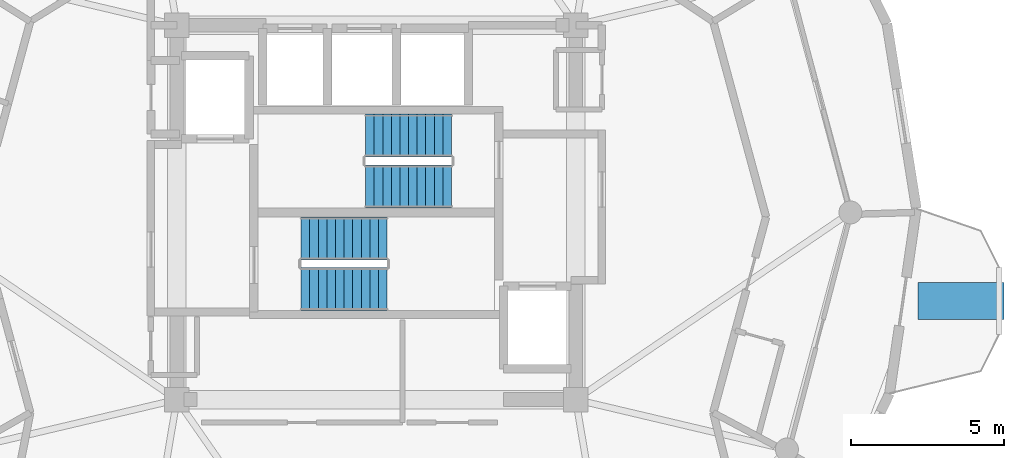
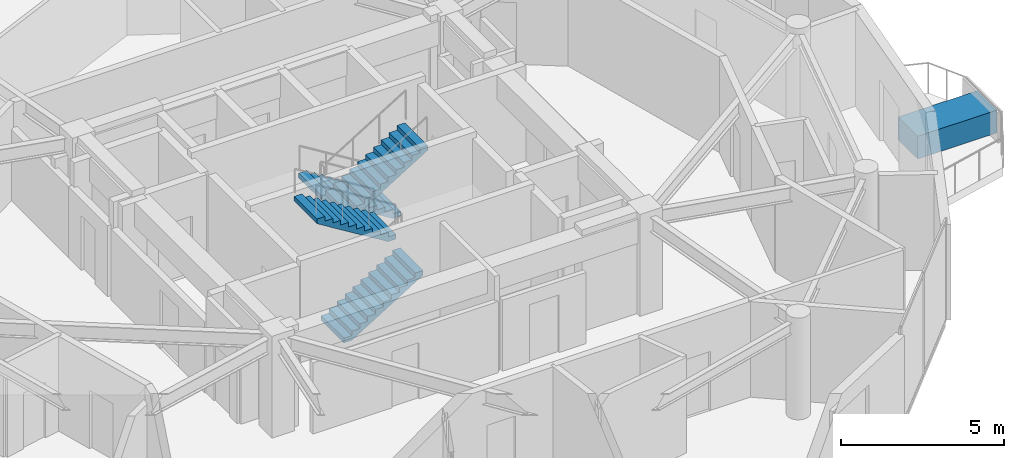
# One storey, part 20 of 22: 4 stair flights, 1 discrete accessory, 2 elements without a shape of their own.
"""IFC4 building model written with IfcOpenShell, lengths in metres."""

from ifc_helpers import new_model, si_unit, direction, frame, origin, origin_2d, place, context, subcontext, project, spatial, polyline, rectangle, outline, extrude, material, type_object, element, aggregate, save


model = new_model("IFC4")

# Units and contexts
model_context = context("Model", 3, precision=1e-05, world=origin(), true_north=direction((0.0, 1.0)))
body_context = subcontext(model_context, "Body", "Model", "MODEL_VIEW")
ifc_project = project(units=[si_unit("LENGTHUNIT", "METRE"), si_unit("AREAUNIT", "SQUARE_METRE"), si_unit("VOLUMEUNIT", "CUBIC_METRE"), si_unit("PLANEANGLEUNIT", "RADIAN"), si_unit("MASSUNIT", "GRAM", prefix="KILO")], contexts=[model_context])

# Site, building, storey
site_placement = place(None, origin())
site = spatial("IfcSite", under=ifc_project, at=site_placement, CompositionType="ELEMENT")
building_placement = place(site_placement, origin())
building = spatial("IfcBuilding", under=site, at=building_placement, Name="Solvirekh Grand Hotel", CompositionType="ELEMENT")
storey_placement = place(building_placement, frame((0.0, 0.0, 278.199951171875)))
storey = spatial("IfcBuildingStorey", under=building, at=storey_placement, Name="L72", CompositionType="ELEMENT", Elevation=278.199951171875)

# Stair, stair flights
ifc_material_1 = material(Name="Concrete C40/50", Category="concrete")
stair_type = type_object("IfcStairType", Name="Stair_Core_1450", PredefinedType="HALF_TURN_STAIR", material=ifc_material_1)
stair_1_placement = place(storey_placement, origin())
stair_1 = element("IfcStair", 1, at=stair_1_placement, inside=storey, type_object=stair_type, Name="L72 Enclosed exit stair ST-1", PredefinedType="HALF_TURN_STAIR")
stair_flight_type = type_object("IfcStairFlightType", Name="Flight_Core_1450", PredefinedType="STRAIGHT", material=ifc_material_1)
stair_flight_1_placement = place(storey_placement, frame((-2.449951171875, -2.5, 0.0), z_axis=(0.0, 0.0, 1.0), x_axis=(1.0, 0.0, 0.0)))
stair_flight_1 = element("IfcStairFlight", 2, at=stair_flight_1_placement, type_object=stair_flight_type, Name="ST-1 flight 1", NumberOfRisers=11, NumberOfTreads=10, PredefinedType="STRAIGHT", RiserHeight=0.172727273, TreadLength=0.28, context=body_context, shape_type="SweptSolid", body=[
    extrude(outline(polyline([(0.0, 0.0), (0.0, 0.172607421875), (0.280029296875, 0.172607421875), (0.280029296875, 0.345458984375), (0.56005859375, 0.345458984375), (0.56005859375, 0.51806640625), (0.840087890625, 0.51806640625), (0.840087890625, 0.69091796875), (1.1201171875, 0.69091796875), (1.1201171875, 0.863525390625), (1.39990234375, 0.863525390625), (1.39990234375, 1.036376953125), (1.679931640625, 1.036376953125), (1.679931640625, 1.208984375), (1.9599609375, 1.208984375), (1.9599609375, 1.3818359375), (2.239990234375, 1.3818359375), (2.239990234375, 1.554443359375), (2.52001953125, 1.554443359375), (2.52001953125, 1.727294921875), (2.800048828125, 1.727294921875), (2.800048828125, 1.89990234375), (2.800048828125, 1.551025390625), (0.285400390625, 0.0), (0.0, 0.0)])), frame((0.0, 0.699951171875, 0.0), z_axis=(0.0, -1.0, 0.0), x_axis=(1.0, 0.0, 0.0)), (0.0, 0.0, 1.0), 1.39990234375),
])
stair_flight_2_placement = place(storey_placement, frame((0.35009765625, -0.85009765625, 1.900146484375), z_axis=(0.0, 0.0, 1.0), x_axis=(-1.0, 0.0, 0.0)))
stair_flight_2 = element("IfcStairFlight", 3, at=stair_flight_2_placement, type_object=stair_flight_type, Name="ST-1 flight 2", NumberOfRisers=11, NumberOfTreads=10, PredefinedType="STRAIGHT", RiserHeight=0.172727273, TreadLength=0.28, context=body_context, shape_type="SweptSolid", body=[
    extrude(outline(polyline([(0.0, 0.0), (0.0, 0.172607421875), (0.280029296875, 0.172607421875), (0.280029296875, 0.345458984375), (0.56005859375, 0.345458984375), (0.56005859375, 0.51806640625), (0.840087890625, 0.51806640625), (0.840087890625, 0.69091796875), (1.1201171875, 0.69091796875), (1.1201171875, 0.863525390625), (1.39990234375, 0.863525390625), (1.39990234375, 1.036376953125), (1.679931640625, 1.036376953125), (1.679931640625, 1.208984375), (1.9599609375, 1.208984375), (1.9599609375, 1.3818359375), (2.239990234375, 1.3818359375), (2.239990234375, 1.554443359375), (2.52001953125, 1.554443359375), (2.52001953125, 1.727294921875), (2.800048828125, 1.727294921875), (2.800048828125, 1.89990234375), (2.800048828125, 1.551025390625), (0.285400390625, 0.0), (0.0, 0.0)])), frame((0.0, 0.699951171875, 0.0), z_axis=(0.0, -1.0, 0.0), x_axis=(1.0, 0.0, 0.0)), (0.0, 0.0, 1.0), 1.39990234375),
])
aggregate(stair_1, [stair_flight_1, stair_flight_2])

stair_2_placement = place(storey_placement, origin())
stair_2 = element("IfcStair", 4, at=stair_2_placement, inside=storey, type_object=stair_type, Name="L72 Enclosed exit stair ST-2", PredefinedType="HALF_TURN_STAIR")
stair_flight_3_placement = place(storey_placement, frame((2.449951171875, 2.5, 0.0), z_axis=(0.0, 0.0, 1.0), x_axis=(-1.0, 0.0, 0.0)))
stair_flight_3 = element("IfcStairFlight", 5, at=stair_flight_3_placement, type_object=stair_flight_type, Name="ST-2 flight 1", NumberOfRisers=11, NumberOfTreads=10, PredefinedType="STRAIGHT", RiserHeight=0.172727273, TreadLength=0.28, context=body_context, shape_type="SweptSolid", body=[
    extrude(outline(polyline([(0.0, 0.0), (0.0, 0.172607421875), (0.280029296875, 0.172607421875), (0.280029296875, 0.345458984375), (0.56005859375, 0.345458984375), (0.56005859375, 0.51806640625), (0.840087890625, 0.51806640625), (0.840087890625, 0.69091796875), (1.1201171875, 0.69091796875), (1.1201171875, 0.863525390625), (1.39990234375, 0.863525390625), (1.39990234375, 1.036376953125), (1.679931640625, 1.036376953125), (1.679931640625, 1.208984375), (1.9599609375, 1.208984375), (1.9599609375, 1.3818359375), (2.239990234375, 1.3818359375), (2.239990234375, 1.554443359375), (2.52001953125, 1.554443359375), (2.52001953125, 1.727294921875), (2.800048828125, 1.727294921875), (2.800048828125, 1.89990234375), (2.800048828125, 1.551025390625), (0.285400390625, 0.0), (0.0, 0.0)])), frame((0.0, 0.699951171875, 0.0), z_axis=(0.0, -1.0, 0.0), x_axis=(1.0, 0.0, 0.0)), (0.0, 0.0, 1.0), 1.39990234375),
])
stair_flight_4_placement = place(storey_placement, frame((-0.35009765625, 0.85009765625, 1.900146484375), z_axis=(0.0, 0.0, 1.0), x_axis=(1.0, 0.0, 0.0)))
stair_flight_4 = element("IfcStairFlight", 6, at=stair_flight_4_placement, type_object=stair_flight_type, Name="ST-2 flight 2", NumberOfRisers=11, NumberOfTreads=10, PredefinedType="STRAIGHT", RiserHeight=0.172727273, TreadLength=0.28, context=body_context, shape_type="SweptSolid", body=[
    extrude(outline(polyline([(0.0, 0.0), (0.0, 0.172607421875), (0.280029296875, 0.172607421875), (0.280029296875, 0.345458984375), (0.56005859375, 0.345458984375), (0.56005859375, 0.51806640625), (0.840087890625, 0.51806640625), (0.840087890625, 0.69091796875), (1.1201171875, 0.69091796875), (1.1201171875, 0.863525390625), (1.39990234375, 0.863525390625), (1.39990234375, 1.036376953125), (1.679931640625, 1.036376953125), (1.679931640625, 1.208984375), (1.9599609375, 1.208984375), (1.9599609375, 1.3818359375), (2.239990234375, 1.3818359375), (2.239990234375, 1.554443359375), (2.52001953125, 1.554443359375), (2.52001953125, 1.727294921875), (2.800048828125, 1.727294921875), (2.800048828125, 1.89990234375), (2.800048828125, 1.551025390625), (0.285400390625, 0.0), (0.0, 0.0)])), frame((0.0, 0.699951171875, 0.0), z_axis=(0.0, -1.0, 0.0), x_axis=(1.0, 0.0, 0.0)), (0.0, 0.0, 1.0), 1.39990234375),
])
aggregate(stair_2, [stair_flight_3, stair_flight_4])

# Discrete accessory
ifc_material_2 = material(Name="Precast concrete C45/55", Category="concrete")
discrete_accessory_type = type_object("IfcDiscreteAccessoryType", Name="Acc_PlanterBox", PredefinedType="USERDEFINED", material=ifc_material_2)
discrete_accessory_placement = place(storey_placement, frame((19.053955078125, -2.885009765625, 0.0), z_axis=(0.0, 0.0, 1.0), x_axis=(0.0, 1.0, 0.0)))
element("IfcDiscreteAccessory", 7, at=discrete_accessory_placement, inside=storey, type_object=discrete_accessory_type, Name="L72 horn sky-garden tree planter", ObjectType="PLANTER", PredefinedType="USERDEFINED", context=body_context, shape_type="SweptSolid", body=[
    extrude(rectangle(XDim=1.199951171875, YDim=2.800048828125, at=origin_2d()), origin(), (0.0, 0.0, 1.0), 0.85009765625),
])

save(model, "model.ifc")
